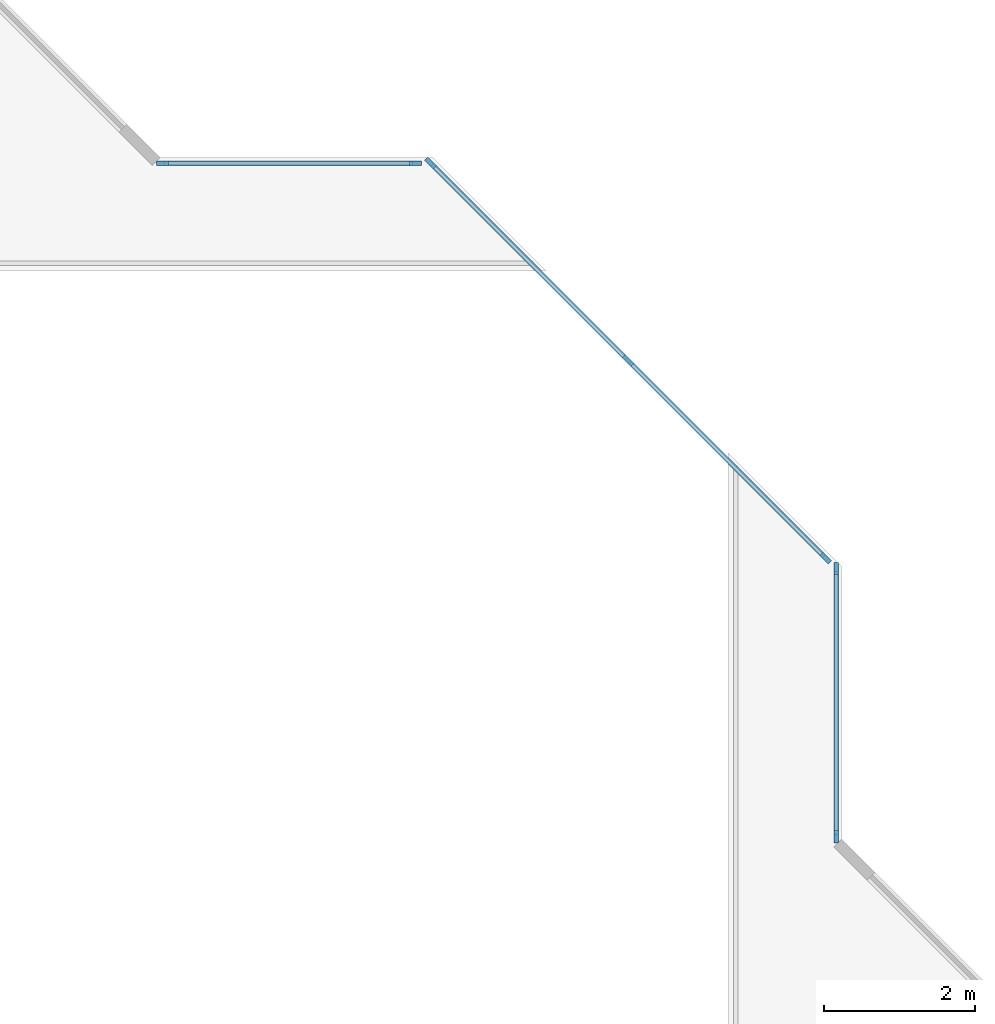
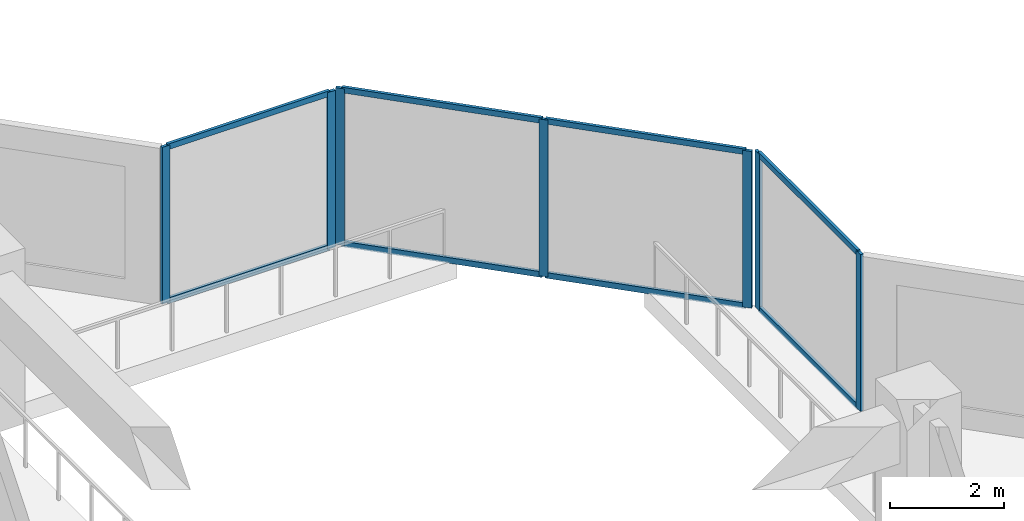
# One storey, part 2 of 16: 15 members, 3 elements without a shape of their own.
"""IFC4 building model written with IfcOpenShell, lengths in metres."""

import ifcopenshell
import ifcopenshell.guid

model = None  # the IFC model being written
_history = None  # IfcOwnerHistory: only IFC2X3 demands one
_inside = {}  # id of a spatial element -> (the spatial element, [elements in it])
_under = {}  # id of a project, library or spatial element -> (it, [spatial elements below it])
_declared = {}  # id of a project -> (the project, [libraries it declares])
_typed = {}  # id of a type object -> (the type object, [elements of that type])
_made_of = {}  # id of a material, layer set ... -> (it, [elements and type objects made of it])


def new_model(schema):
    """Start an empty IFC model of exactly this schema.

    Asked for "IFC4X3", IfcOpenShell would pick the latest addendum, in which some entities
    have other attributes; the version numbers below select the first issue.
    IFC2X3 requires an IfcOwnerHistory on every rooted entity: one is made here for all.
    """
    global model, _history
    if schema == "IFC4X3":
        model = ifcopenshell.file(schema_version=(4, 3, 0, 0))
    else:
        model = ifcopenshell.file(schema=schema)
    _inside.clear()
    _under.clear()
    _declared.clear()
    _typed.clear()
    _made_of.clear()
    _history = None
    if model.schema == "IFC2X3":
        org = make("IfcOrganization", Name="unknown")
        user = make(
            "IfcPersonAndOrganization",
            ThePerson=make("IfcPerson", FamilyName="unknown"),
            TheOrganization=org,
        )
        app = make(
            "IfcApplication",
            ApplicationDeveloper=org,
            Version="unknown",
            ApplicationFullName="unknown",
            ApplicationIdentifier="unknown",
        )
        _history = make(
            "IfcOwnerHistory",
            OwningUser=user,
            OwningApplication=app,
            ChangeAction="ADDED",
            CreationDate=0,
        )
    return model


def make(cls, **values):
    """One entity of the class cls with the attributes given. An attribute that is None is left unset."""
    return model.create_entity(
        cls, **{name: value for name, value in values.items() if value is not None}
    )


def rooted(cls, **values):
    """An entity with a GlobalId (a new one), such as an element, a storey or a relation."""
    return make(cls, GlobalId=ifcopenshell.guid.new(), OwnerHistory=_history, **values)


def si_unit(unit_type, name, prefix=None):
    """IfcSIUnit, for example si_unit("LENGTHUNIT", "METRE", prefix="MILLI")."""
    return make("IfcSIUnit", UnitType=unit_type, Prefix=prefix, Name=name)


def assignment(units):
    """IfcUnitAssignment: the units of a project."""
    return None if units is None else make("IfcUnitAssignment", Units=units)


def point(xyz):
    """IfcCartesianPoint."""
    return None if xyz is None else make("IfcCartesianPoint", Coordinates=xyz)


def direction(xyz):
    """IfcDirection."""
    return None if xyz is None else make("IfcDirection", DirectionRatios=xyz)


def frame(location, z_axis=None, x_axis=None):
    """IfcAxis2Placement3D, a coordinate frame: its origin and axes. An axis left out is left unset."""
    return make(
        "IfcAxis2Placement3D",
        Location=point(location),
        Axis=direction(z_axis),
        RefDirection=direction(x_axis),
    )


def frame_2d(location, x_axis=None):
    """IfcAxis2Placement2D, a coordinate frame in the plane: its origin and x axis."""
    return make(
        "IfcAxis2Placement2D", Location=point(location), RefDirection=direction(x_axis)
    )


def origin():
    """The frame at (0, 0, 0) with its axes left unset."""
    return frame((0.0, 0.0, 0.0))


def origin_2d():
    """The frame at (0, 0) in the plane with its x axis left unset."""
    return frame_2d((0.0, 0.0))


def place(relative_to, where):
    """IfcLocalPlacement: puts the frame where relative to a parent placement (None: the world)."""
    return make(
        "IfcLocalPlacement", PlacementRelTo=relative_to, RelativePlacement=where
    )


def context(
    kind, dimensions, precision=None, world=None, true_north=None, identifier=None
):
    """IfcGeometricRepresentationContext, for example the 3D "Model" context."""
    return make(
        "IfcGeometricRepresentationContext",
        ContextIdentifier=identifier,
        ContextType=kind,
        CoordinateSpaceDimension=dimensions,
        Precision=precision,
        WorldCoordinateSystem=world,
        TrueNorth=true_north,
    )


def subcontext(parent, identifier, kind, view, scale=None):
    """IfcGeometricRepresentationSubContext, for example "Body" below "Model"."""
    return make(
        "IfcGeometricRepresentationSubContext",
        ContextIdentifier=identifier,
        ContextType=kind,
        ParentContext=parent,
        TargetScale=scale,
        TargetView=view,
    )


def project(units=None, contexts=None):
    """IfcProject with its units and contexts."""
    return rooted(
        "IfcProject",
        Name="project",
        RepresentationContexts=contexts,
        UnitsInContext=assignment(units),
    )


def spatial(cls, under=None, at=None, **own):
    """A site, building, storey or space (cls), placed at a placement, below another one or the project."""
    s = rooted(cls, ObjectPlacement=at, **own)
    if under is not None:
        _under.setdefault(under.id(), (under, []))[1].append(s)
    return s


def profile(cls, at=None, kind="AREA", **sizes):
    """A parametric profile (cls). Its sizes go by their IFC names, for example OverallWidth=200.0."""
    return make(cls, ProfileType=kind, Position=at, **sizes)


def rectangle(**sizes):
    """IfcRectangleProfileDef."""
    return profile("IfcRectangleProfileDef", **sizes)


def extrude(swept, where, along, depth):
    """IfcExtrudedAreaSolid: the profile swept, set in the frame where, extruded along a direction by depth."""
    return make(
        "IfcExtrudedAreaSolid",
        SweptArea=swept,
        Position=where,
        ExtrudedDirection=direction(along),
        Depth=depth,
    )


def shape(context_of_items, identifier, shape_type, items):
    """IfcShapeRepresentation: the items that make up one representation, for example the "Body"."""
    return make(
        "IfcShapeRepresentation",
        ContextOfItems=context_of_items,
        RepresentationIdentifier=identifier,
        RepresentationType=shape_type,
        Items=items,
    )


def material(Name=None, Category=None):
    """IfcMaterial."""
    return make("IfcMaterial", Name=Name, Category=Category)


def layer(
    of_material, thickness, ventilated=None, Name=None, Category=None, Priority=None
):
    """IfcMaterialLayer: one layer of a wall or slab, of a material (None: an air gap)."""
    return make(
        "IfcMaterialLayer",
        Material=of_material,
        LayerThickness=thickness,
        IsVentilated=ventilated,
        Name=Name,
        Category=Category,
        Priority=Priority,
    )


def layer_set(layers, Name=None):
    """IfcMaterialLayerSet."""
    return make("IfcMaterialLayerSet", MaterialLayers=layers, LayerSetName=Name)


def material_profile(
    of_material, cross_section, Name=None, Category=None, Priority=None
):
    """IfcMaterialProfile: a cross section and its material."""
    return make(
        "IfcMaterialProfile",
        Name=Name,
        Material=of_material,
        Profile=cross_section,
        Priority=Priority,
        Category=Category,
    )


def profile_set(profiles, Name=None, composite=None):
    """IfcMaterialProfileSet."""
    return make(
        "IfcMaterialProfileSet",
        Name=Name,
        MaterialProfiles=profiles,
        CompositeProfile=composite,
    )


def made_of(thing, what):
    """Note that an element or type object is made of a material, layer set ...; save() writes the relation."""
    if what is not None:
        _made_of.setdefault(what.id(), (what, []))[1].append(thing)
    return thing


def type_object(cls, material=None, **own):
    """A type object (cls), such as IfcWallType, which elements share."""
    return made_of(rooted(cls, **own), material)


def element(
    cls,
    number,
    at=None,
    inside=None,
    cuts=None,
    type_object=None,
    material=None,
    context=None,
    identifier="Body",
    shape_type=None,
    held_by="IfcProductDefinitionShape",
    body=None,
    shapes=None,
    **own,
):
    """One element of the class cls, such as IfcWall. Its Tag is "e" and its number.

    at: its placement. inside: the storey or other place that contains it. cuts: it is an
    opening in that element (IfcRelVoidsElement). A single representation is given by context,
    identifier, shape_type and body (its items); several are given by shapes. held_by: the class
    of the entity that holds the representations. save() writes the other relations.
    """
    e = rooted(cls, Tag="e%d" % number, ObjectPlacement=at, **own)
    if body is not None:
        shapes = [shape(context, identifier, shape_type, body)]
    if shapes is not None:
        e.Representation = make(held_by, Representations=shapes)
    if inside is not None:
        _inside.setdefault(inside.id(), (inside, []))[1].append(e)
    if cuts is not None:
        rooted(
            "IfcRelVoidsElement", RelatingBuildingElement=cuts, RelatedOpeningElement=e
        )
    if type_object is not None:
        _typed.setdefault(type_object.id(), (type_object, []))[1].append(e)
    return made_of(e, material)


def aggregate(whole, parts):
    """IfcRelAggregates: a whole, such as a stair, and the parts it consists of."""
    return rooted("IfcRelAggregates", RelatingObject=whole, RelatedObjects=parts)


def save(model, path):
    """Write the relations noted so far, then the file.

    IfcRelAggregates (storeys below a building ...), IfcRelContainedInSpatialStructure (elements
    in a storey), IfcRelDefinesByType, IfcRelAssociatesMaterial and IfcRelDeclares: one each for
    every whole, place, type object, material and project.
    """
    for whole, parts in _under.values():
        aggregate(whole, parts)
    for where, things in _inside.values():
        rooted(
            "IfcRelContainedInSpatialStructure",
            RelatedElements=things,
            RelatingStructure=where,
        )
    for kind, things in _typed.values():
        rooted("IfcRelDefinesByType", RelatedObjects=things, RelatingType=kind)
    for what, things in _made_of.values():
        rooted("IfcRelAssociatesMaterial", RelatedObjects=things, RelatingMaterial=what)
    for by, libraries in _declared.values():
        rooted("IfcRelDeclares", RelatingContext=by, RelatedDefinitions=libraries)
    model.write(path)


model = new_model("IFC4")

# Units and contexts
model_context = context("Model", 3, precision=1e-05, world=origin(), true_north=direction((0.0, 1.0)))
body_context = subcontext(model_context, "Body", "Model", "MODEL_VIEW")
ifc_project = project(units=[si_unit("LENGTHUNIT", "METRE"), si_unit("AREAUNIT", "SQUARE_METRE"), si_unit("VOLUMEUNIT", "CUBIC_METRE"), si_unit("PLANEANGLEUNIT", "RADIAN"), si_unit("MASSUNIT", "GRAM", prefix="KILO")], contexts=[model_context])

# Site, building, storey
site_placement = place(None, origin())
site = spatial("IfcSite", under=ifc_project, at=site_placement, CompositionType="ELEMENT")
building_placement = place(site_placement, origin())
building = spatial("IfcBuilding", under=site, at=building_placement, Name="Chenar Terraces", CompositionType="ELEMENT")
storey_placement = place(building_placement, frame((0.0, 0.0, 75.14990234375)))
storey = spatial("IfcBuildingStorey", under=building, at=storey_placement, Name="L16", CompositionType="ELEMENT", Elevation=75.14990234375)

# Curtain wall, members
ifc_material_1 = material(Name="Aluminium framed glazing", Category="aluminium")
ifc_layer = layer(ifc_material_1, 0.14990234375)
ifc_layer_set = layer_set([ifc_layer], Name="Aluminium framed glazing")
curtain_wall_type = type_object("IfcCurtainWallType", Name="Atrium curtain wall", PredefinedType="NOTDEFINED", material=ifc_layer_set)
placement = place(storey_placement, origin())
curtain_wall_1 = element("IfcCurtainWall", 1, at=placement, inside=storey, type_object=curtain_wall_type, Name="Atrium curtain wall", PredefinedType="NOTDEFINED")
ifc_material_2 = material(Name="Aluminium", Category="aluminium")
ifc_material_profile_1 = material_profile(ifc_material_2, rectangle(XDim=0.06005859375, YDim=0.159912109375, at=origin_2d()), Name="Atrium glazing mullion 60 x 160")
ifc_profile_set_1 = profile_set([ifc_material_profile_1], Name="Aluminium")
member_type_1 = type_object("IfcMemberType", Name="Atrium glazing mullion 60 x 160", PredefinedType="MULLION", material=ifc_profile_set_1)
member_1_placement = place(storey_placement, frame((37.425048828125, 28.530029296875, 0.0), z_axis=(0.0, 0.0, 1.0), x_axis=(-1.0, 0.0, 0.0)))
member_1 = element("IfcMember", 2, at=member_1_placement, type_object=member_type_1, Name="CW1-1 mullion 1", PredefinedType="MULLION", context=body_context, shape_type="SweptSolid", body=[
    extrude(rectangle(XDim=0.06005859375, YDim=0.159912109375, at=origin_2d()), origin(), (0.0, 0.0, 1.0), 3.35009765625),
])
member_2_placement = place(storey_placement, frame((37.425048828125, 32.070068359375, 0.0), z_axis=(0.0, 0.0, 1.0), x_axis=(-1.0, 0.0, 0.0)))
member_2 = element("IfcMember", 3, at=member_2_placement, type_object=member_type_1, Name="CW1-1 mullion 2", PredefinedType="MULLION", context=body_context, shape_type="SweptSolid", body=[
    extrude(rectangle(XDim=0.06005859375, YDim=0.159912109375, at=origin_2d()), origin(), (0.0, 0.0, 1.0), 3.35009765625),
])

curtain_wall_2 = element("IfcCurtainWall", 4, at=placement, inside=storey, type_object=curtain_wall_type, Name="Atrium curtain wall", PredefinedType="NOTDEFINED")
member_3_placement = place(storey_placement, frame((37.284423828125, 32.209716796875, 0.0), z_axis=(0.0, 0.0, 1.0), x_axis=(-0.707106781187, -0.707106781187, 0.0)))
member_3 = element("IfcMember", 5, at=member_3_placement, type_object=member_type_1, Name="CW1-2 mullion 1", PredefinedType="MULLION", context=body_context, shape_type="SweptSolid", body=[
    extrude(rectangle(XDim=0.06005859375, YDim=0.159912109375, at=origin_2d()), origin(), (0.0, 0.0, 1.0), 3.35009765625),
])
member_4_placement = place(storey_placement, frame((34.67626953125, 34.817626953125, 0.0), z_axis=(0.0, 0.0, 1.0), x_axis=(-0.707106781187, -0.707106781187, 0.0)))
member_4 = element("IfcMember", 6, at=member_4_placement, type_object=member_type_1, Name="CW1-2 mullion 2", PredefinedType="MULLION", context=body_context, shape_type="SweptSolid", body=[
    extrude(rectangle(XDim=0.06005859375, YDim=0.159912109375, at=origin_2d()), origin(), (0.0, 0.0, 1.0), 3.35009765625),
])
member_5_placement = place(storey_placement, frame((32.068115234375, 37.42578125, 0.0), z_axis=(0.0, 0.0, 1.0), x_axis=(-0.707106781187, -0.707106781187, 0.0)))
member_5 = element("IfcMember", 7, at=member_5_placement, type_object=member_type_1, Name="CW1-2 mullion 3", PredefinedType="MULLION", context=body_context, shape_type="SweptSolid", body=[
    extrude(rectangle(XDim=0.06005859375, YDim=0.159912109375, at=origin_2d()), origin(), (0.0, 0.0, 1.0), 3.35009765625),
])

curtain_wall_3 = element("IfcCurtainWall", 8, at=placement, inside=storey, type_object=curtain_wall_type, Name="Atrium curtain wall", PredefinedType="NOTDEFINED")
member_6_placement = place(storey_placement, frame((31.8701171875, 37.425048828125, 0.0), z_axis=(0.0, 0.0, 1.0), x_axis=(0.0, -1.0, 0.0)))
member_6 = element("IfcMember", 9, at=member_6_placement, type_object=member_type_1, Name="CW1-3 mullion 1", PredefinedType="MULLION", context=body_context, shape_type="SweptSolid", body=[
    extrude(rectangle(XDim=0.06005859375, YDim=0.159912109375, at=origin_2d()), origin(), (0.0, 0.0, 1.0), 3.35009765625),
])
member_7_placement = place(storey_placement, frame((28.530029296875, 37.425048828125, 0.0), z_axis=(0.0, 0.0, 1.0), x_axis=(0.0, -1.0, 0.0)))
member_7 = element("IfcMember", 10, at=member_7_placement, type_object=member_type_1, Name="CW1-3 mullion 2", PredefinedType="MULLION", context=body_context, shape_type="SweptSolid", body=[
    extrude(rectangle(XDim=0.06005859375, YDim=0.159912109375, at=origin_2d()), origin(), (0.0, 0.0, 1.0), 3.35009765625),
])

# Member
ifc_material_3 = material(Name="Aluminium", Category="aluminium")
ifc_material_profile_2 = material_profile(ifc_material_3, rectangle(XDim=0.06005859375, YDim=0.1201171875, at=origin_2d()), Name="Atrium glazing transom 60 x 120")
ifc_profile_set_2 = profile_set([ifc_material_profile_2], Name="Aluminium")
member_type_2 = type_object("IfcMemberType", Name="Atrium glazing transom 60 x 120", PredefinedType="USERDEFINED", material=ifc_profile_set_2)
member_8_placement = place(storey_placement, frame((37.425048828125, 28.56005859375, 0.030029296875), z_axis=(0.0, 1.0, 0.0), x_axis=(-1.0, 0.0, 0.0)))
member_8 = element("IfcMember", 11, at=member_8_placement, type_object=member_type_2, Name="CW1-1 transom 1.1", ObjectType="TRANSOM", PredefinedType="USERDEFINED", context=body_context, shape_type="SweptSolid", body=[
    extrude(rectangle(XDim=0.06005859375, YDim=0.1201171875, at=origin_2d()), origin(), (0.0, 0.0, 1.0), 3.47998046875),
])

member_9_placement = place(storey_placement, frame((37.425048828125, 28.56005859375, 3.320068359375), z_axis=(0.0, 1.0, 0.0), x_axis=(-1.0, 0.0, 0.0)))
member_9 = element("IfcMember", 12, at=member_9_placement, type_object=member_type_2, Name="CW1-1 transom 1.2", ObjectType="TRANSOM", PredefinedType="USERDEFINED", context=body_context, shape_type="SweptSolid", body=[
    extrude(rectangle(XDim=0.06005859375, YDim=0.1201171875, at=origin_2d()), origin(), (0.0, 0.0, 1.0), 3.47998046875),
])

aggregate(curtain_wall_1, [member_1, member_2, member_8, member_9])

member_10_placement = place(storey_placement, frame((37.26318359375, 32.230712890625, 0.030029296875), z_axis=(-0.707106781187, 0.707106781187, 0.0), x_axis=(-0.707106781187, -0.707106781187, 0.0)))
member_10 = element("IfcMember", 13, at=member_10_placement, type_object=member_type_2, Name="CW1-2 transom 1.1", ObjectType="TRANSOM", PredefinedType="USERDEFINED", context=body_context, shape_type="SweptSolid", body=[
    extrude(rectangle(XDim=0.06005859375, YDim=0.1201171875, at=origin_2d()), origin(), (0.0, 0.0, 1.0), 3.62841796875),
])

member_11_placement = place(storey_placement, frame((37.26318359375, 32.230712890625, 3.320068359375), z_axis=(-0.707106781187, 0.707106781187, 0.0), x_axis=(-0.707106781187, -0.707106781187, 0.0)))
member_11 = element("IfcMember", 14, at=member_11_placement, type_object=member_type_2, Name="CW1-2 transom 1.2", ObjectType="TRANSOM", PredefinedType="USERDEFINED", context=body_context, shape_type="SweptSolid", body=[
    extrude(rectangle(XDim=0.06005859375, YDim=0.1201171875, at=origin_2d()), origin(), (0.0, 0.0, 1.0), 3.62841796875),
])

member_12_placement = place(storey_placement, frame((34.655029296875, 34.8388671875, 0.030029296875), z_axis=(-0.707106781187, 0.707106781187, 0.0), x_axis=(-0.707106781187, -0.707106781187, 0.0)))
member_12 = element("IfcMember", 15, at=member_12_placement, type_object=member_type_2, Name="CW1-2 transom 2.1", ObjectType="TRANSOM", PredefinedType="USERDEFINED", context=body_context, shape_type="SweptSolid", body=[
    extrude(rectangle(XDim=0.06005859375, YDim=0.1201171875, at=origin_2d()), origin(), (0.0, 0.0, 1.0), 3.62841796875),
])

member_13_placement = place(storey_placement, frame((34.655029296875, 34.8388671875, 3.320068359375), z_axis=(-0.707106781187, 0.707106781187, 0.0), x_axis=(-0.707106781187, -0.707106781187, 0.0)))
member_13 = element("IfcMember", 16, at=member_13_placement, type_object=member_type_2, Name="CW1-2 transom 2.2", ObjectType="TRANSOM", PredefinedType="USERDEFINED", context=body_context, shape_type="SweptSolid", body=[
    extrude(rectangle(XDim=0.06005859375, YDim=0.1201171875, at=origin_2d()), origin(), (0.0, 0.0, 1.0), 3.62841796875),
])

aggregate(curtain_wall_2, [member_3, member_4, member_5, member_10, member_11, member_12, member_13])

member_14_placement = place(storey_placement, frame((31.840087890625, 37.425048828125, 0.030029296875), z_axis=(-1.0, 0.0, 0.0), x_axis=(0.0, -1.0, 0.0)))
member_14 = element("IfcMember", 17, at=member_14_placement, type_object=member_type_2, Name="CW1-3 transom 1.1", ObjectType="TRANSOM", PredefinedType="USERDEFINED", context=body_context, shape_type="SweptSolid", body=[
    extrude(rectangle(XDim=0.06005859375, YDim=0.1201171875, at=origin_2d()), origin(), (0.0, 0.0, 1.0), 3.280029296875),
])

member_15_placement = place(storey_placement, frame((31.840087890625, 37.425048828125, 3.320068359375), z_axis=(-1.0, 0.0, 0.0), x_axis=(0.0, -1.0, 0.0)))
member_15 = element("IfcMember", 18, at=member_15_placement, type_object=member_type_2, Name="CW1-3 transom 1.2", ObjectType="TRANSOM", PredefinedType="USERDEFINED", context=body_context, shape_type="SweptSolid", body=[
    extrude(rectangle(XDim=0.06005859375, YDim=0.1201171875, at=origin_2d()), origin(), (0.0, 0.0, 1.0), 3.280029296875),
])

aggregate(curtain_wall_3, [member_6, member_7, member_14, member_15])

save(model, "model.ifc")
